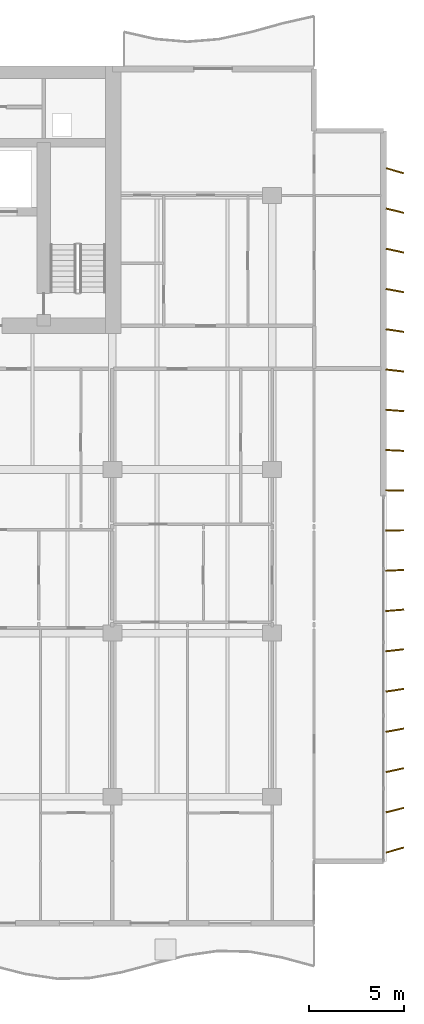
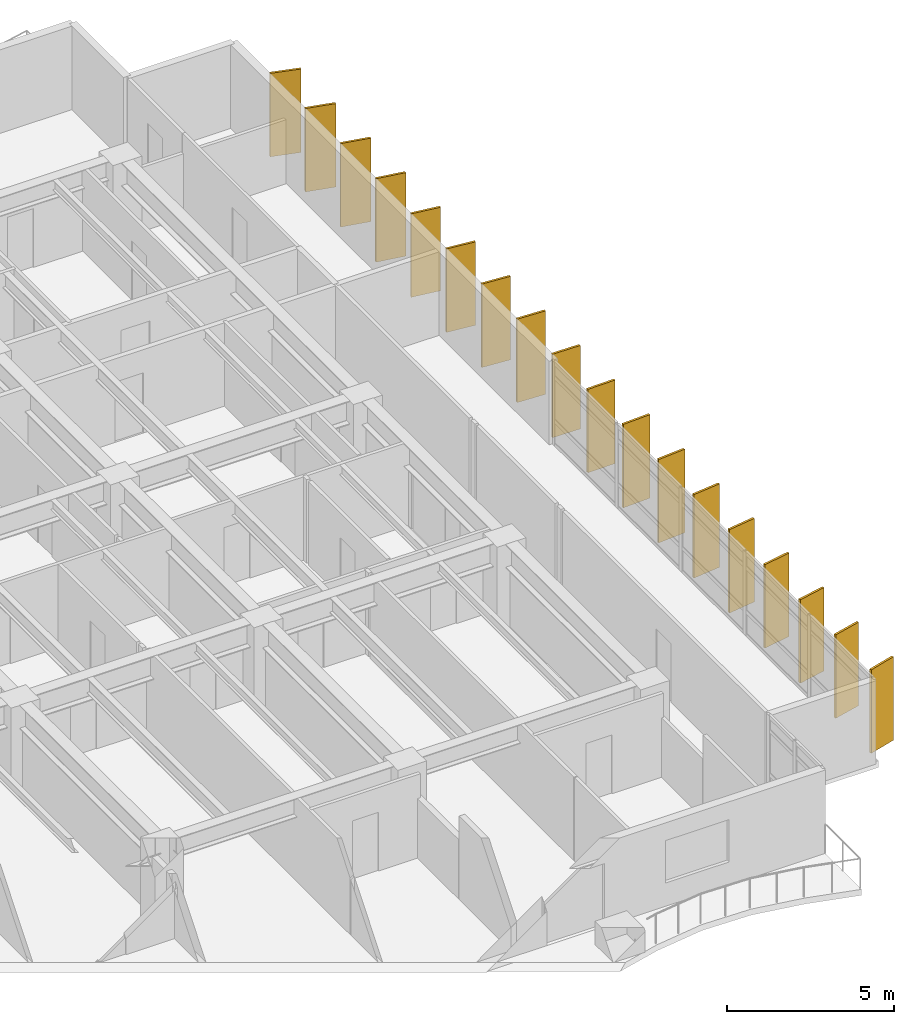
# One storey, part 18 of 18: 18 shading devices.
"""IFC4 building model written with IfcOpenShell, lengths in metres."""

import ifcopenshell
import ifcopenshell.guid

model = None  # the IFC model being written
_history = None  # IfcOwnerHistory: only IFC2X3 demands one
_inside = {}  # id of a spatial element -> (the spatial element, [elements in it])
_under = {}  # id of a project, library or spatial element -> (it, [spatial elements below it])
_declared = {}  # id of a project -> (the project, [libraries it declares])
_typed = {}  # id of a type object -> (the type object, [elements of that type])
_made_of = {}  # id of a material, layer set ... -> (it, [elements and type objects made of it])


def new_model(schema):
    """Start an empty IFC model of exactly this schema.

    Asked for "IFC4X3", IfcOpenShell would pick the latest addendum, in which some entities
    have other attributes; the version numbers below select the first issue.
    IFC2X3 requires an IfcOwnerHistory on every rooted entity: one is made here for all.
    """
    global model, _history
    if schema == "IFC4X3":
        model = ifcopenshell.file(schema_version=(4, 3, 0, 0))
    else:
        model = ifcopenshell.file(schema=schema)
    _inside.clear()
    _under.clear()
    _declared.clear()
    _typed.clear()
    _made_of.clear()
    _history = None
    if model.schema == "IFC2X3":
        org = make("IfcOrganization", Name="unknown")
        user = make(
            "IfcPersonAndOrganization",
            ThePerson=make("IfcPerson", FamilyName="unknown"),
            TheOrganization=org,
        )
        app = make(
            "IfcApplication",
            ApplicationDeveloper=org,
            Version="unknown",
            ApplicationFullName="unknown",
            ApplicationIdentifier="unknown",
        )
        _history = make(
            "IfcOwnerHistory",
            OwningUser=user,
            OwningApplication=app,
            ChangeAction="ADDED",
            CreationDate=0,
        )
    return model


def make(cls, **values):
    """One entity of the class cls with the attributes given. An attribute that is None is left unset."""
    return model.create_entity(
        cls, **{name: value for name, value in values.items() if value is not None}
    )


def rooted(cls, **values):
    """An entity with a GlobalId (a new one), such as an element, a storey or a relation."""
    return make(cls, GlobalId=ifcopenshell.guid.new(), OwnerHistory=_history, **values)


def si_unit(unit_type, name, prefix=None):
    """IfcSIUnit, for example si_unit("LENGTHUNIT", "METRE", prefix="MILLI")."""
    return make("IfcSIUnit", UnitType=unit_type, Prefix=prefix, Name=name)


def assignment(units):
    """IfcUnitAssignment: the units of a project."""
    return None if units is None else make("IfcUnitAssignment", Units=units)


def point(xyz):
    """IfcCartesianPoint."""
    return None if xyz is None else make("IfcCartesianPoint", Coordinates=xyz)


def direction(xyz):
    """IfcDirection."""
    return None if xyz is None else make("IfcDirection", DirectionRatios=xyz)


def frame(location, z_axis=None, x_axis=None):
    """IfcAxis2Placement3D, a coordinate frame: its origin and axes. An axis left out is left unset."""
    return make(
        "IfcAxis2Placement3D",
        Location=point(location),
        Axis=direction(z_axis),
        RefDirection=direction(x_axis),
    )


def frame_2d(location, x_axis=None):
    """IfcAxis2Placement2D, a coordinate frame in the plane: its origin and x axis."""
    return make(
        "IfcAxis2Placement2D", Location=point(location), RefDirection=direction(x_axis)
    )


def origin():
    """The frame at (0, 0, 0) with its axes left unset."""
    return frame((0.0, 0.0, 0.0))


def origin_2d():
    """The frame at (0, 0) in the plane with its x axis left unset."""
    return frame_2d((0.0, 0.0))


def place(relative_to, where):
    """IfcLocalPlacement: puts the frame where relative to a parent placement (None: the world)."""
    return make(
        "IfcLocalPlacement", PlacementRelTo=relative_to, RelativePlacement=where
    )


def context(
    kind, dimensions, precision=None, world=None, true_north=None, identifier=None
):
    """IfcGeometricRepresentationContext, for example the 3D "Model" context."""
    return make(
        "IfcGeometricRepresentationContext",
        ContextIdentifier=identifier,
        ContextType=kind,
        CoordinateSpaceDimension=dimensions,
        Precision=precision,
        WorldCoordinateSystem=world,
        TrueNorth=true_north,
    )


def subcontext(parent, identifier, kind, view, scale=None):
    """IfcGeometricRepresentationSubContext, for example "Body" below "Model"."""
    return make(
        "IfcGeometricRepresentationSubContext",
        ContextIdentifier=identifier,
        ContextType=kind,
        ParentContext=parent,
        TargetScale=scale,
        TargetView=view,
    )


def project(units=None, contexts=None):
    """IfcProject with its units and contexts."""
    return rooted(
        "IfcProject",
        Name="project",
        RepresentationContexts=contexts,
        UnitsInContext=assignment(units),
    )


def spatial(cls, under=None, at=None, **own):
    """A site, building, storey or space (cls), placed at a placement, below another one or the project."""
    s = rooted(cls, ObjectPlacement=at, **own)
    if under is not None:
        _under.setdefault(under.id(), (under, []))[1].append(s)
    return s


def profile(cls, at=None, kind="AREA", **sizes):
    """A parametric profile (cls). Its sizes go by their IFC names, for example OverallWidth=200.0."""
    return make(cls, ProfileType=kind, Position=at, **sizes)


def rectangle(**sizes):
    """IfcRectangleProfileDef."""
    return profile("IfcRectangleProfileDef", **sizes)


def extrude(swept, where, along, depth):
    """IfcExtrudedAreaSolid: the profile swept, set in the frame where, extruded along a direction by depth."""
    return make(
        "IfcExtrudedAreaSolid",
        SweptArea=swept,
        Position=where,
        ExtrudedDirection=direction(along),
        Depth=depth,
    )


def shape(context_of_items, identifier, shape_type, items):
    """IfcShapeRepresentation: the items that make up one representation, for example the "Body"."""
    return make(
        "IfcShapeRepresentation",
        ContextOfItems=context_of_items,
        RepresentationIdentifier=identifier,
        RepresentationType=shape_type,
        Items=items,
    )


def material(Name=None, Category=None):
    """IfcMaterial."""
    return make("IfcMaterial", Name=Name, Category=Category)


def material_profile(
    of_material, cross_section, Name=None, Category=None, Priority=None
):
    """IfcMaterialProfile: a cross section and its material."""
    return make(
        "IfcMaterialProfile",
        Name=Name,
        Material=of_material,
        Profile=cross_section,
        Priority=Priority,
        Category=Category,
    )


def profile_set(profiles, Name=None, composite=None):
    """IfcMaterialProfileSet."""
    return make(
        "IfcMaterialProfileSet",
        Name=Name,
        MaterialProfiles=profiles,
        CompositeProfile=composite,
    )


def made_of(thing, what):
    """Note that an element or type object is made of a material, layer set ...; save() writes the relation."""
    if what is not None:
        _made_of.setdefault(what.id(), (what, []))[1].append(thing)
    return thing


def type_object(cls, material=None, **own):
    """A type object (cls), such as IfcWallType, which elements share."""
    return made_of(rooted(cls, **own), material)


def element(
    cls,
    number,
    at=None,
    inside=None,
    cuts=None,
    type_object=None,
    material=None,
    context=None,
    identifier="Body",
    shape_type=None,
    held_by="IfcProductDefinitionShape",
    body=None,
    shapes=None,
    **own,
):
    """One element of the class cls, such as IfcWall. Its Tag is "e" and its number.

    at: its placement. inside: the storey or other place that contains it. cuts: it is an
    opening in that element (IfcRelVoidsElement). A single representation is given by context,
    identifier, shape_type and body (its items); several are given by shapes. held_by: the class
    of the entity that holds the representations. save() writes the other relations.
    """
    e = rooted(cls, Tag="e%d" % number, ObjectPlacement=at, **own)
    if body is not None:
        shapes = [shape(context, identifier, shape_type, body)]
    if shapes is not None:
        e.Representation = make(held_by, Representations=shapes)
    if inside is not None:
        _inside.setdefault(inside.id(), (inside, []))[1].append(e)
    if cuts is not None:
        rooted(
            "IfcRelVoidsElement", RelatingBuildingElement=cuts, RelatedOpeningElement=e
        )
    if type_object is not None:
        _typed.setdefault(type_object.id(), (type_object, []))[1].append(e)
    return made_of(e, material)


def aggregate(whole, parts):
    """IfcRelAggregates: a whole, such as a stair, and the parts it consists of."""
    return rooted("IfcRelAggregates", RelatingObject=whole, RelatedObjects=parts)


def save(model, path):
    """Write the relations noted so far, then the file.

    IfcRelAggregates (storeys below a building ...), IfcRelContainedInSpatialStructure (elements
    in a storey), IfcRelDefinesByType, IfcRelAssociatesMaterial and IfcRelDeclares: one each for
    every whole, place, type object, material and project.
    """
    for whole, parts in _under.values():
        aggregate(whole, parts)
    for where, things in _inside.values():
        rooted(
            "IfcRelContainedInSpatialStructure",
            RelatedElements=things,
            RelatingStructure=where,
        )
    for kind, things in _typed.values():
        rooted("IfcRelDefinesByType", RelatedObjects=things, RelatingType=kind)
    for what, things in _made_of.values():
        rooted("IfcRelAssociatesMaterial", RelatedObjects=things, RelatingMaterial=what)
    for by, libraries in _declared.values():
        rooted("IfcRelDeclares", RelatingContext=by, RelatedDefinitions=libraries)
    model.write(path)


model = new_model("IFC4")

# Units and contexts
model_context = context("Model", 3, precision=1e-05, world=origin(), true_north=direction((0.0, 1.0)))
body_context = subcontext(model_context, "Body", "Model", "MODEL_VIEW")
ifc_project = project(units=[si_unit("LENGTHUNIT", "METRE"), si_unit("AREAUNIT", "SQUARE_METRE"), si_unit("VOLUMEUNIT", "CUBIC_METRE"), si_unit("PLANEANGLEUNIT", "RADIAN"), si_unit("MASSUNIT", "GRAM", prefix="KILO")], contexts=[model_context])

# Site, building, storey
site_placement = place(None, origin())
site = spatial("IfcSite", under=ifc_project, at=site_placement, CompositionType="ELEMENT")
building_placement = place(site_placement, origin())
building = spatial("IfcBuilding", under=site, at=building_placement, Name="Caelmar Bay Residences", CompositionType="ELEMENT")
storey_placement = place(building_placement, frame((0.0, 0.0, 125.699951171875)))
storey = spatial("IfcBuildingStorey", under=building, at=storey_placement, Name="L34", CompositionType="ELEMENT", Elevation=125.699951171875)

# Shading devices
ifc_material = material(Name="Anodised architectural bronze aluminium 6063-T6", Category="aluminium")
ifc_material_profile = material_profile(ifc_material, rectangle(XDim=0.074951171875, YDim=0.949951171875, at=origin_2d()), Name="BRONZE-FIN-75X950")
ifc_profile_set = profile_set([ifc_material_profile], Name="Anodised architectural bronze aluminium 6063-T6")
shading_device_type = type_object("IfcShadingDeviceType", Name="SHD-FIN-950", PredefinedType="USERDEFINED", material=ifc_profile_set)
for number, where, z_axis, x_axis, name in (
    (1, (74.35009765625, 9.39990234375, 0.0), (0.0, 0.0, 1.0), (-0.275637355817, 0.961261695938, 0.0), "L34 East Bronze Solar Fin 1"),
    (2, (74.35009765625, 11.5, 0.0), (0.0, 0.0, 1.0), (-0.243953546137, 0.969786918517, 0.0), "L34 East Bronze Solar Fin 2"),
    (3, (74.35009765625, 13.60009765625, 0.0), (0.0, 0.0, 1.0), (-0.212007109922, 0.977268123568, 0.0), "L34 East Bronze Solar Fin 3"),
    (4, (74.35009765625, 15.699951171875, 0.0), (0.0, 0.0, 1.0), (-0.179660748593, 0.98372862895, 0.0), "L34 East Bronze Solar Fin 4"),
    (5, (74.35009765625, 17.800048828125, 0.0), (0.0, 0.0, 1.0), (-0.147291543397, 0.989093120613, 0.0), "L34 East Bronze Solar Fin 5"),
    (6, (74.35009765625, 19.89990234375, 0.0), (0.0, 0.0, 1.0), (-0.114763772489, 0.993392810787, 0.0), "L34 East Bronze Solar Fin 6"),
    (7, (74.35009765625, 22.0, 0.0), (0.0, 0.0, 1.0), (-0.08211245342, 0.996623070671, 0.0), "L34 East Bronze Solar Fin 7"),
    (8, (74.35009765625, 24.10009765625, 0.0), (0.0, 0.0, 1.0), (-0.049198415926, 0.998789024705, 0.0), "L34 East Bronze Solar Fin 8"),
    (9, (74.35009765625, 26.199951171875, 0.0), (0.0, 0.0, 1.0), (-0.016405359001, 0.999865423043, 0.0), "L34 East Bronze Solar Fin 9"),
    (10, (74.35009765625, 28.300048828125, 0.0), (0.0, 0.0, 1.0), (0.016405359001, 0.999865423043, 0.0), "L34 East Bronze Solar Fin 10"),
    (11, (74.35009765625, 30.39990234375, 0.0), (0.0, 0.0, 1.0), (0.049198415926, 0.998789024705, 0.0), "L34 East Bronze Solar Fin 11"),
    (12, (74.35009765625, 32.5, 0.0), (0.0, 0.0, 1.0), (0.08211245342, 0.996623070671, 0.0), "L34 East Bronze Solar Fin 12"),
    (13, (74.35009765625, 34.60009765625, 0.0), (0.0, 0.0, 1.0), (0.114763772489, 0.993392810787, 0.0), "L34 East Bronze Solar Fin 13"),
    (14, (74.35009765625, 36.699951171875, 0.0), (0.0, 0.0, 1.0), (0.147291543397, 0.989093120613, 0.0), "L34 East Bronze Solar Fin 14"),
    (15, (74.35009765625, 38.800048828125, 0.0), (0.0, 0.0, 1.0), (0.179660748593, 0.98372862895, 0.0), "L34 East Bronze Solar Fin 15"),
    (16, (74.35009765625, 40.89990234375, 0.0), (0.0, 0.0, 1.0), (0.212007109922, 0.977268123568, 0.0), "L34 East Bronze Solar Fin 16"),
    (17, (74.35009765625, 43.0, 0.0), (0.0, 0.0, 1.0), (0.243953546137, 0.969786918517, 0.0), "L34 East Bronze Solar Fin 17"),
    (18, (74.35009765625, 45.10009765625, 0.0), (0.0, 0.0, 1.0), (0.275637355817, 0.961261695938, 0.0), "L34 East Bronze Solar Fin 18"),
):
    element("IfcShadingDevice", number, at=place(storey_placement, frame(where, z_axis=z_axis, x_axis=x_axis)), inside=storey, type_object=shading_device_type, Name=name, ObjectType="FIN", PredefinedType="USERDEFINED", context=body_context, shape_type="SweptSolid", body=[
        extrude(rectangle(XDim=0.074951171875, YDim=0.949951171875, at=origin_2d()), origin(), (0.0, 0.0, 1.0), 3.050048828125),
    ])

save(model, "model.ifc")
